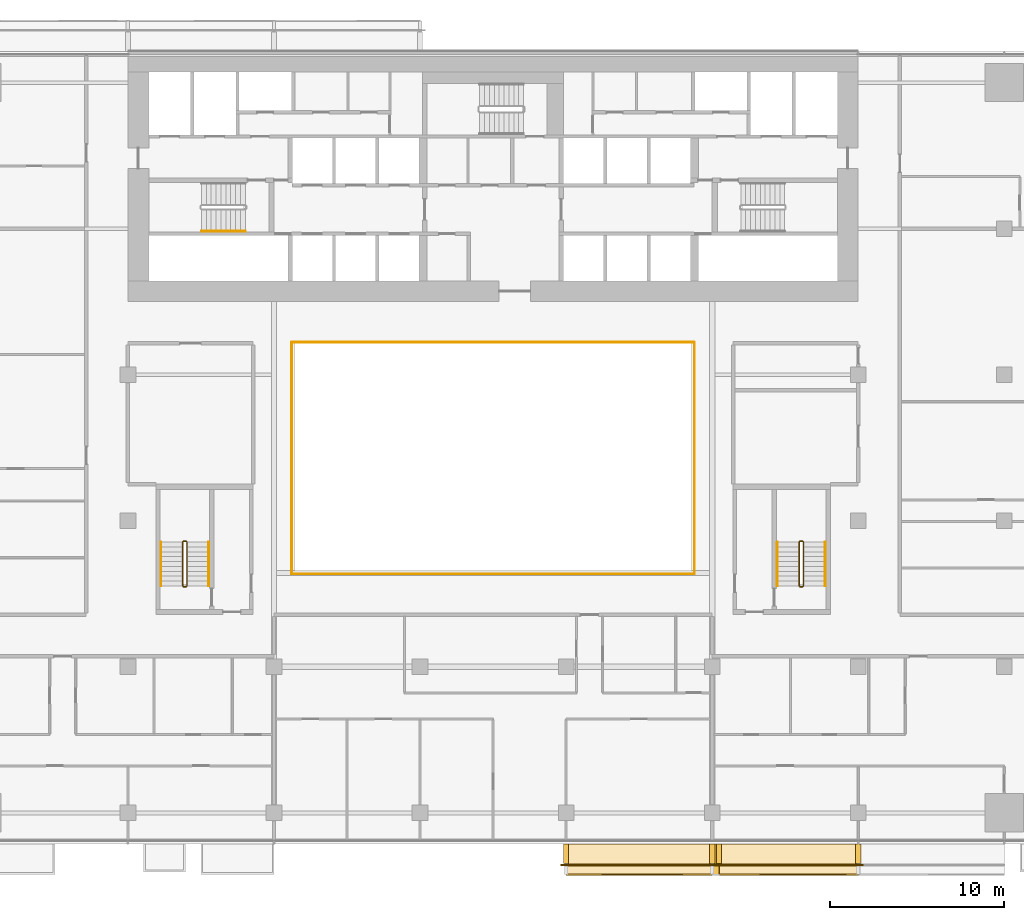
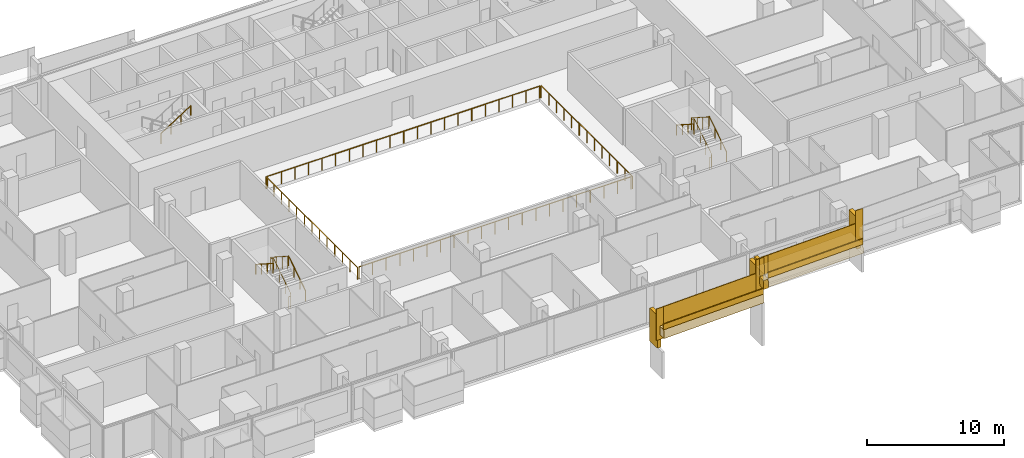
# One storey, part 25 of 27: 18 railings, 9 coverings.
"""IFC4 building model written with IfcOpenShell, lengths in metres."""

from ifc_helpers import new_model, si_unit, direction, frame, origin, origin_2d, place, context, subcontext, project, spatial, polyline, rectangle, circle, outline, extrude, material, layer, layer_set, type_object, element, save


model = new_model("IFC4")

# Units and contexts
model_context = context("Model", 3, precision=1e-05, world=origin(), true_north=direction((0.0, 1.0)))
body_context = subcontext(model_context, "Body", "Model", "MODEL_VIEW")
ifc_project = project(units=[si_unit("LENGTHUNIT", "METRE"), si_unit("AREAUNIT", "SQUARE_METRE"), si_unit("VOLUMEUNIT", "CUBIC_METRE"), si_unit("PLANEANGLEUNIT", "RADIAN"), si_unit("MASSUNIT", "GRAM", prefix="KILO")], contexts=[model_context])

# Site, building, storey
site_placement = place(None, origin())
site = spatial("IfcSite", under=ifc_project, at=site_placement, CompositionType="ELEMENT")
building_placement = place(site_placement, origin())
building = spatial("IfcBuilding", under=site, at=building_placement, Name="Saffron Gate Tower", CompositionType="ELEMENT")
storey_placement = place(building_placement, frame((0.0, 0.0, 44.39990234375)))
storey = spatial("IfcBuildingStorey", under=building, at=storey_placement, Name="L09", CompositionType="ELEMENT", Elevation=44.39990234375)

# Railings
ifc_material_1 = material(Name="Stainless steel and laminated glass", Category="steel")
railing_type_1 = type_object("IfcRailingType", Name="AG1 Atrium edge guard 1100", PredefinedType="GUARDRAIL", material=ifc_material_1)
railing_1_placement = place(storey_placement, frame((76.02001953125, 45.5400390625, 0.0)))
element("IfcRailing", 1, at=railing_1_placement, inside=storey, type_object=railing_type_1, Name="Guard A1-1", PredefinedType="GUARDRAIL", context=body_context, shape_type="SweptSolid", body=[
    extrude(circle(Radius=0.02392578125, at=origin_2d()), frame((0.0, 0.0, 1.076171875), z_axis=(0.0, 1.0, 0.0), x_axis=(-1.0, 0.0, 0.0)), (0.0, 0.0, 1.0), 13.320068359375),
    extrude(circle(Radius=0.02099609375, at=origin_2d()), origin(), (0.0, 0.0, 1.0), 1.052001953125),
    extrude(circle(Radius=0.02099609375, at=origin_2d()), frame((0.0, 1.110107421875, 0.0)), (0.0, 0.0, 1.0), 1.052001953125),
    extrude(circle(Radius=0.02099609375, at=origin_2d()), frame((0.0, 2.219970703125, 0.0)), (0.0, 0.0, 1.0), 1.052001953125),
    extrude(circle(Radius=0.02099609375, at=origin_2d()), frame((0.0, 3.330078125, 0.0)), (0.0, 0.0, 1.0), 1.052001953125),
    extrude(circle(Radius=0.02099609375, at=origin_2d()), frame((0.0, 4.43994140625, 0.0)), (0.0, 0.0, 1.0), 1.052001953125),
    extrude(circle(Radius=0.02099609375, at=origin_2d()), frame((0.0, 5.550048828125, 0.0)), (0.0, 0.0, 1.0), 1.052001953125),
    extrude(circle(Radius=0.02099609375, at=origin_2d()), frame((0.0, 6.66015625, 0.0)), (0.0, 0.0, 1.0), 1.052001953125),
    extrude(circle(Radius=0.02099609375, at=origin_2d()), frame((0.0, 7.77001953125, 0.0)), (0.0, 0.0, 1.0), 1.052001953125),
    extrude(circle(Radius=0.02099609375, at=origin_2d()), frame((0.0, 8.880126953125, 0.0)), (0.0, 0.0, 1.0), 1.052001953125),
    extrude(circle(Radius=0.02099609375, at=origin_2d()), frame((0.0, 9.989990234375, 0.0)), (0.0, 0.0, 1.0), 1.052001953125),
    extrude(circle(Radius=0.02099609375, at=origin_2d()), frame((0.0, 11.10009765625, 0.0)), (0.0, 0.0, 1.0), 1.052001953125),
    extrude(circle(Radius=0.02099609375, at=origin_2d()), frame((0.0, 12.2099609375, 0.0)), (0.0, 0.0, 1.0), 1.052001953125),
    extrude(circle(Radius=0.02099609375, at=origin_2d()), frame((0.0, 13.320068359375, 0.0)), (0.0, 0.0, 1.0), 1.052001953125),
])
railing_2_placement = place(storey_placement, frame((76.139892578125, 58.860107421875, 0.0)))
element("IfcRailing", 2, at=railing_2_placement, inside=storey, type_object=railing_type_1, Name="Guard A1-2", PredefinedType="GUARDRAIL", context=body_context, shape_type="SweptSolid", body=[
    extrude(circle(Radius=0.02392578125, at=origin_2d()), frame((0.0, 0.0, 1.076171875), z_axis=(1.0, 0.0, 0.0), x_axis=(0.0, 1.0, 0.0)), (0.0, 0.0, 1.0), 22.920166015625),
    extrude(circle(Radius=0.02099609375, at=origin_2d()), origin(), (0.0, 0.0, 1.0), 1.052001953125),
    extrude(circle(Radius=0.02099609375, at=origin_2d()), frame((1.14599609375, 0.0, 0.0)), (0.0, 0.0, 1.0), 1.052001953125),
    extrude(circle(Radius=0.02099609375, at=origin_2d()), frame((2.2919921875, 0.0, 0.0)), (0.0, 0.0, 1.0), 1.052001953125),
    extrude(circle(Radius=0.02099609375, at=origin_2d()), frame((3.43798828125, 0.0, 0.0)), (0.0, 0.0, 1.0), 1.052001953125),
    extrude(circle(Radius=0.02099609375, at=origin_2d()), frame((4.583984375, 0.0, 0.0)), (0.0, 0.0, 1.0), 1.052001953125),
    extrude(circle(Radius=0.02099609375, at=origin_2d()), frame((5.72998046875, 0.0, 0.0)), (0.0, 0.0, 1.0), 1.052001953125),
    extrude(circle(Radius=0.02099609375, at=origin_2d()), frame((6.8759765625, 0.0, 0.0)), (0.0, 0.0, 1.0), 1.052001953125),
    extrude(circle(Radius=0.02099609375, at=origin_2d()), frame((8.02197265625, 0.0, 0.0)), (0.0, 0.0, 1.0), 1.052001953125),
    extrude(circle(Radius=0.02099609375, at=origin_2d()), frame((9.16796875, 0.0, 0.0)), (0.0, 0.0, 1.0), 1.052001953125),
    extrude(circle(Radius=0.02099609375, at=origin_2d()), frame((10.31396484375, 0.0, 0.0)), (0.0, 0.0, 1.0), 1.052001953125),
    extrude(circle(Radius=0.02099609375, at=origin_2d()), frame((11.4599609375, 0.0, 0.0)), (0.0, 0.0, 1.0), 1.052001953125),
    extrude(circle(Radius=0.02099609375, at=origin_2d()), frame((12.606201171875, 0.0, 0.0)), (0.0, 0.0, 1.0), 1.052001953125),
    extrude(circle(Radius=0.02099609375, at=origin_2d()), frame((13.752197265625, 0.0, 0.0)), (0.0, 0.0, 1.0), 1.052001953125),
    extrude(circle(Radius=0.02099609375, at=origin_2d()), frame((14.898193359375, 0.0, 0.0)), (0.0, 0.0, 1.0), 1.052001953125),
    extrude(circle(Radius=0.02099609375, at=origin_2d()), frame((16.044189453125, 0.0, 0.0)), (0.0, 0.0, 1.0), 1.052001953125),
    extrude(circle(Radius=0.02099609375, at=origin_2d()), frame((17.190185546875, 0.0, 0.0)), (0.0, 0.0, 1.0), 1.052001953125),
    extrude(circle(Radius=0.02099609375, at=origin_2d()), frame((18.336181640625, 0.0, 0.0)), (0.0, 0.0, 1.0), 1.052001953125),
    extrude(circle(Radius=0.02099609375, at=origin_2d()), frame((19.482177734375, 0.0, 0.0)), (0.0, 0.0, 1.0), 1.052001953125),
    extrude(circle(Radius=0.02099609375, at=origin_2d()), frame((20.628173828125, 0.0, 0.0)), (0.0, 0.0, 1.0), 1.052001953125),
    extrude(circle(Radius=0.02099609375, at=origin_2d()), frame((21.774169921875, 0.0, 0.0)), (0.0, 0.0, 1.0), 1.052001953125),
    extrude(circle(Radius=0.02099609375, at=origin_2d()), frame((22.920166015625, 0.0, 0.0)), (0.0, 0.0, 1.0), 1.052001953125),
])
railing_3_placement = place(storey_placement, frame((99.179931640625, 58.860107421875, 0.0)))
element("IfcRailing", 3, at=railing_3_placement, inside=storey, type_object=railing_type_1, Name="Guard A1-3", PredefinedType="GUARDRAIL", context=body_context, shape_type="SweptSolid", body=[
    extrude(circle(Radius=0.02392578125, at=origin_2d()), frame((0.0, 0.0, 1.076171875), z_axis=(0.0, -1.0, 0.0), x_axis=(1.0, 0.0, 0.0)), (0.0, 0.0, 1.0), 13.320068359375),
    extrude(circle(Radius=0.02099609375, at=origin_2d()), origin(), (0.0, 0.0, 1.0), 1.052001953125),
    extrude(circle(Radius=0.02099609375, at=origin_2d()), frame((0.0, -1.110107421875, 0.0)), (0.0, 0.0, 1.0), 1.052001953125),
    extrude(circle(Radius=0.02099609375, at=origin_2d()), frame((0.0, -2.219970703125, 0.0)), (0.0, 0.0, 1.0), 1.052001953125),
    extrude(circle(Radius=0.02099609375, at=origin_2d()), frame((0.0, -3.330078125, 0.0)), (0.0, 0.0, 1.0), 1.052001953125),
    extrude(circle(Radius=0.02099609375, at=origin_2d()), frame((0.0, -4.43994140625, 0.0)), (0.0, 0.0, 1.0), 1.052001953125),
    extrude(circle(Radius=0.02099609375, at=origin_2d()), frame((0.0, -5.550048828125, 0.0)), (0.0, 0.0, 1.0), 1.052001953125),
    extrude(circle(Radius=0.02099609375, at=origin_2d()), frame((0.0, -6.66015625, 0.0)), (0.0, 0.0, 1.0), 1.052001953125),
    extrude(circle(Radius=0.02099609375, at=origin_2d()), frame((0.0, -7.77001953125, 0.0)), (0.0, 0.0, 1.0), 1.052001953125),
    extrude(circle(Radius=0.02099609375, at=origin_2d()), frame((0.0, -8.880126953125, 0.0)), (0.0, 0.0, 1.0), 1.052001953125),
    extrude(circle(Radius=0.02099609375, at=origin_2d()), frame((0.0, -9.989990234375, 0.0)), (0.0, 0.0, 1.0), 1.052001953125),
    extrude(circle(Radius=0.02099609375, at=origin_2d()), frame((0.0, -11.10009765625, 0.0)), (0.0, 0.0, 1.0), 1.052001953125),
    extrude(circle(Radius=0.02099609375, at=origin_2d()), frame((0.0, -12.2099609375, 0.0)), (0.0, 0.0, 1.0), 1.052001953125),
    extrude(circle(Radius=0.02099609375, at=origin_2d()), frame((0.0, -13.320068359375, 0.0)), (0.0, 0.0, 1.0), 1.052001953125),
])
railing_4_placement = place(storey_placement, frame((99.06005859375, 45.5400390625, 0.0)))
element("IfcRailing", 4, at=railing_4_placement, inside=storey, type_object=railing_type_1, Name="Guard A1-4", PredefinedType="GUARDRAIL", context=body_context, shape_type="SweptSolid", body=[
    extrude(circle(Radius=0.02392578125, at=origin_2d()), frame((0.0, 0.0, 1.076171875), z_axis=(-1.0, 0.0, 0.0), x_axis=(0.0, -1.0, 0.0)), (0.0, 0.0, 1.0), 22.920166015625),
    extrude(circle(Radius=0.02099609375, at=origin_2d()), origin(), (0.0, 0.0, 1.0), 1.052001953125),
    extrude(circle(Radius=0.02099609375, at=origin_2d()), frame((-1.14599609375, 0.0, 0.0)), (0.0, 0.0, 1.0), 1.052001953125),
    extrude(circle(Radius=0.02099609375, at=origin_2d()), frame((-2.2919921875, 0.0, 0.0)), (0.0, 0.0, 1.0), 1.052001953125),
    extrude(circle(Radius=0.02099609375, at=origin_2d()), frame((-3.43798828125, 0.0, 0.0)), (0.0, 0.0, 1.0), 1.052001953125),
    extrude(circle(Radius=0.02099609375, at=origin_2d()), frame((-4.583984375, 0.0, 0.0)), (0.0, 0.0, 1.0), 1.052001953125),
    extrude(circle(Radius=0.02099609375, at=origin_2d()), frame((-5.72998046875, 0.0, 0.0)), (0.0, 0.0, 1.0), 1.052001953125),
    extrude(circle(Radius=0.02099609375, at=origin_2d()), frame((-6.8759765625, 0.0, 0.0)), (0.0, 0.0, 1.0), 1.052001953125),
    extrude(circle(Radius=0.02099609375, at=origin_2d()), frame((-8.02197265625, 0.0, 0.0)), (0.0, 0.0, 1.0), 1.052001953125),
    extrude(circle(Radius=0.02099609375, at=origin_2d()), frame((-9.16796875, 0.0, 0.0)), (0.0, 0.0, 1.0), 1.052001953125),
    extrude(circle(Radius=0.02099609375, at=origin_2d()), frame((-10.31396484375, 0.0, 0.0)), (0.0, 0.0, 1.0), 1.052001953125),
    extrude(circle(Radius=0.02099609375, at=origin_2d()), frame((-11.4599609375, 0.0, 0.0)), (0.0, 0.0, 1.0), 1.052001953125),
    extrude(circle(Radius=0.02099609375, at=origin_2d()), frame((-12.606201171875, 0.0, 0.0)), (0.0, 0.0, 1.0), 1.052001953125),
    extrude(circle(Radius=0.02099609375, at=origin_2d()), frame((-13.752197265625, 0.0, 0.0)), (0.0, 0.0, 1.0), 1.052001953125),
    extrude(circle(Radius=0.02099609375, at=origin_2d()), frame((-14.898193359375, 0.0, 0.0)), (0.0, 0.0, 1.0), 1.052001953125),
    extrude(circle(Radius=0.02099609375, at=origin_2d()), frame((-16.044189453125, 0.0, 0.0)), (0.0, 0.0, 1.0), 1.052001953125),
    extrude(circle(Radius=0.02099609375, at=origin_2d()), frame((-17.190185546875, 0.0, 0.0)), (0.0, 0.0, 1.0), 1.052001953125),
    extrude(circle(Radius=0.02099609375, at=origin_2d()), frame((-18.336181640625, 0.0, 0.0)), (0.0, 0.0, 1.0), 1.052001953125),
    extrude(circle(Radius=0.02099609375, at=origin_2d()), frame((-19.482177734375, 0.0, 0.0)), (0.0, 0.0, 1.0), 1.052001953125),
    extrude(circle(Radius=0.02099609375, at=origin_2d()), frame((-20.628173828125, 0.0, 0.0)), (0.0, 0.0, 1.0), 1.052001953125),
    extrude(circle(Radius=0.02099609375, at=origin_2d()), frame((-21.774169921875, 0.0, 0.0)), (0.0, 0.0, 1.0), 1.052001953125),
    extrude(circle(Radius=0.02099609375, at=origin_2d()), frame((-22.920166015625, 0.0, 0.0)), (0.0, 0.0, 1.0), 1.052001953125),
])
railing_type_2 = type_object("IfcRailingType", Name="CR1 Stair guard 1100", PredefinedType="GUARDRAIL", material=ifc_material_1)
railing_5_placement = place(storey_placement, frame((69.800048828125, 44.800048828125, 0.0)))
element("IfcRailing", 5, at=railing_5_placement, inside=storey, type_object=railing_type_2, Name="L09 ST-D stair guard 1", PredefinedType="GUARDRAIL", context=body_context, shape_type="SweptSolid", body=[
    extrude(circle(Radius=0.02392578125, at=origin_2d()), frame((0.0, 0.0, 1.076171875), z_axis=(1.0, 0.0, 0.0), x_axis=(0.0, 1.0, 0.0)), (0.0, 0.0, 1.0), 0.14990234375),
    extrude(circle(Radius=0.02392578125, at=origin_2d()), frame((0.14990234375, 0.0, 1.076171875), z_axis=(0.258543844998, 0.258543844998, 0.930757841991), x_axis=(-0.707106781187, 0.707106781187, 0.0)), (0.0, 0.0, 1.0), 0.193603515625),
    extrude(circle(Radius=0.02392578125, at=origin_2d()), frame((0.199951171875, 0.050048828125, 1.25634765625), z_axis=(0.0, 0.841199657755, 0.540724639528), x_axis=(-1.0, 0.0, 0.0)), (0.0, 0.0, 1.0), 2.995849609375),
    extrude(circle(Radius=0.02392578125, at=origin_2d()), frame((0.199951171875, 2.570068359375, 2.8759765625), z_axis=(-0.708833529934, 0.705375805398, 0.0), x_axis=(-0.705375805398, -0.708833529934, 0.0)), (0.0, 0.0, 1.0), 0.070556640625),
    extrude(circle(Radius=0.02392578125, at=origin_2d()), frame((0.14990234375, 2.619873046875, 2.8759765625), z_axis=(-1.0, 0.0, 0.0), x_axis=(0.0, -1.0, 0.0)), (0.0, 0.0, 1.0), 0.14990234375),
    extrude(circle(Radius=0.02392578125, at=origin_2d()), frame((0.0, 2.619873046875, 2.8759765625), z_axis=(-0.258932105505, -0.257669022063, 0.930892496375), x_axis=(0.705375805398, -0.708833529934, 0.0)), (0.0, 0.0, 1.0), 0.193359375),
    extrude(circle(Radius=0.02392578125, at=origin_2d()), frame((-0.050048828125, 2.570068359375, 3.05615234375), z_axis=(0.0, -0.841162588446, 0.540782303519), x_axis=(1.0, 0.0, 0.0)), (0.0, 0.0, 1.0), 2.995849609375),
    extrude(circle(Radius=0.02099609375, at=origin_2d()), origin(), (0.0, 0.0, 1.0), 1.052001953125),
    extrude(circle(Radius=0.02099609375, at=origin_2d()), frame((0.14990234375, 0.0, 0.0)), (0.0, 0.0, 1.0), 1.052001953125),
    extrude(circle(Radius=0.02099609375, at=origin_2d()), frame((0.199951171875, 0.050048828125, 0.18017578125)), (0.0, 0.0, 1.0), 1.052001953125),
    extrude(circle(Radius=0.02099609375, at=origin_2d()), frame((0.199951171875, 0.89013671875, 0.72021484375)), (0.0, 0.0, 1.0), 1.052001953125),
    extrude(circle(Radius=0.02099609375, at=origin_2d()), frame((0.199951171875, 1.72998046875, 1.260009765625)), (0.0, 0.0, 1.0), 1.052001953125),
    extrude(circle(Radius=0.02099609375, at=origin_2d()), frame((0.199951171875, 2.570068359375, 1.800048828125)), (0.0, 0.0, 1.0), 1.052001953125),
    extrude(circle(Radius=0.02099609375, at=origin_2d()), frame((0.14990234375, 2.619873046875, 1.800048828125)), (0.0, 0.0, 1.0), 1.052001953125),
    extrude(circle(Radius=0.02099609375, at=origin_2d()), frame((0.0, 2.619873046875, 1.800048828125)), (0.0, 0.0, 1.0), 1.052001953125),
    extrude(circle(Radius=0.02099609375, at=origin_2d()), frame((-0.050048828125, 2.570068359375, 1.97998046875)), (0.0, 0.0, 1.0), 1.052001953125),
    extrude(circle(Radius=0.02099609375, at=origin_2d()), frame((-0.050048828125, 1.72998046875, 2.52001953125)), (0.0, 0.0, 1.0), 1.052001953125),
    extrude(circle(Radius=0.02099609375, at=origin_2d()), frame((-0.050048828125, 0.89013671875, 3.06005859375)), (0.0, 0.0, 1.0), 1.052001953125),
    extrude(circle(Radius=0.02099609375, at=origin_2d()), frame((-0.050048828125, 0.050048828125, 3.60009765625)), (0.0, 0.0, 1.0), 1.052001953125),
])
railing_6_placement = place(storey_placement, frame((105.25, 44.800048828125, 0.0)))
element("IfcRailing", 6, at=railing_6_placement, inside=storey, type_object=railing_type_2, Name="L09 ST-E stair guard 1", PredefinedType="GUARDRAIL", context=body_context, shape_type="SweptSolid", body=[
    extrude(circle(Radius=0.02392578125, at=origin_2d()), frame((0.0, 0.0, 1.076171875), z_axis=(1.0, 0.0, 0.0), x_axis=(0.0, 1.0, 0.0)), (0.0, 0.0, 1.0), 0.14990234375),
    extrude(circle(Radius=0.02392578125, at=origin_2d()), frame((0.14990234375, 0.0, 1.076171875), z_axis=(0.258543844998, 0.258543844998, 0.930757841991), x_axis=(-0.707106781187, 0.707106781187, 0.0)), (0.0, 0.0, 1.0), 0.193603515625),
    extrude(circle(Radius=0.02392578125, at=origin_2d()), frame((0.199951171875, 0.050048828125, 1.25634765625), z_axis=(0.0, 0.841199657755, 0.540724639528), x_axis=(-1.0, 0.0, 0.0)), (0.0, 0.0, 1.0), 2.995849609375),
    extrude(circle(Radius=0.02392578125, at=origin_2d()), frame((0.199951171875, 2.570068359375, 2.8759765625), z_axis=(-0.708833529934, 0.705375805398, 0.0), x_axis=(-0.705375805398, -0.708833529934, 0.0)), (0.0, 0.0, 1.0), 0.070556640625),
    extrude(circle(Radius=0.02392578125, at=origin_2d()), frame((0.14990234375, 2.619873046875, 2.8759765625), z_axis=(-1.0, 0.0, 0.0), x_axis=(0.0, -1.0, 0.0)), (0.0, 0.0, 1.0), 0.14990234375),
    extrude(circle(Radius=0.02392578125, at=origin_2d()), frame((0.0, 2.619873046875, 2.8759765625), z_axis=(-0.258932105505, -0.257669022063, 0.930892496375), x_axis=(0.705375805398, -0.708833529934, 0.0)), (0.0, 0.0, 1.0), 0.193359375),
    extrude(circle(Radius=0.02392578125, at=origin_2d()), frame((-0.050048828125, 2.570068359375, 3.05615234375), z_axis=(0.0, -0.841162588446, 0.540782303519), x_axis=(1.0, 0.0, 0.0)), (0.0, 0.0, 1.0), 2.995849609375),
    extrude(circle(Radius=0.02099609375, at=origin_2d()), origin(), (0.0, 0.0, 1.0), 1.052001953125),
    extrude(circle(Radius=0.02099609375, at=origin_2d()), frame((0.14990234375, 0.0, 0.0)), (0.0, 0.0, 1.0), 1.052001953125),
    extrude(circle(Radius=0.02099609375, at=origin_2d()), frame((0.199951171875, 0.050048828125, 0.18017578125)), (0.0, 0.0, 1.0), 1.052001953125),
    extrude(circle(Radius=0.02099609375, at=origin_2d()), frame((0.199951171875, 0.89013671875, 0.72021484375)), (0.0, 0.0, 1.0), 1.052001953125),
    extrude(circle(Radius=0.02099609375, at=origin_2d()), frame((0.199951171875, 1.72998046875, 1.260009765625)), (0.0, 0.0, 1.0), 1.052001953125),
    extrude(circle(Radius=0.02099609375, at=origin_2d()), frame((0.199951171875, 2.570068359375, 1.800048828125)), (0.0, 0.0, 1.0), 1.052001953125),
    extrude(circle(Radius=0.02099609375, at=origin_2d()), frame((0.14990234375, 2.619873046875, 1.800048828125)), (0.0, 0.0, 1.0), 1.052001953125),
    extrude(circle(Radius=0.02099609375, at=origin_2d()), frame((0.0, 2.619873046875, 1.800048828125)), (0.0, 0.0, 1.0), 1.052001953125),
    extrude(circle(Radius=0.02099609375, at=origin_2d()), frame((-0.050048828125, 2.570068359375, 1.97998046875)), (0.0, 0.0, 1.0), 1.052001953125),
    extrude(circle(Radius=0.02099609375, at=origin_2d()), frame((-0.050048828125, 1.72998046875, 2.52001953125)), (0.0, 0.0, 1.0), 1.052001953125),
    extrude(circle(Radius=0.02099609375, at=origin_2d()), frame((-0.050048828125, 0.89013671875, 3.06005859375)), (0.0, 0.0, 1.0), 1.052001953125),
    extrude(circle(Radius=0.02099609375, at=origin_2d()), frame((-0.050048828125, 0.050048828125, 3.60009765625)), (0.0, 0.0, 1.0), 1.052001953125),
])
ifc_material_2 = material(Name="Stainless steel", Category="steel")
railing_type_3 = type_object("IfcRailingType", Name="CR2 Stair handrail 900", PredefinedType="HANDRAIL", material=ifc_material_2)
railing_7_placement = place(storey_placement, frame((70.830078125, 65.25, 1.97998046875)))
element("IfcRailing", 7, at=railing_7_placement, inside=storey, type_object=railing_type_3, Name="L09 ST-A stair handrail 2", PredefinedType="HANDRAIL", context=body_context, shape_type="SweptSolid", body=[
    extrude(circle(Radius=0.02392578125, at=origin_2d()), frame((0.0, 0.0, 0.8759765625), z_axis=(0.841162588446, 0.0, 0.540782303519), x_axis=(0.0, 1.0, 0.0)), (0.0, 0.0, 1.0), 2.995849609375),
    extrude(circle(Radius=0.02099609375, at=origin_2d()), origin(), (0.0, 0.0, 1.0), 0.851806640625),
    extrude(circle(Radius=0.02099609375, at=origin_2d()), frame((0.840087890625, 0.0, 0.5400390625)), (0.0, 0.0, 1.0), 0.851806640625),
    extrude(circle(Radius=0.02099609375, at=origin_2d()), frame((1.679931640625, 0.0, 1.080078125)), (0.0, 0.0, 1.0), 0.851806640625),
    extrude(circle(Radius=0.02099609375, at=origin_2d()), frame((2.52001953125, 0.0, 1.6201171875)), (0.0, 0.0, 1.0), 0.851806640625),
])
railing_8_placement = place(storey_placement, frame((71.25, 44.85009765625, 0.18017578125)))
element("IfcRailing", 8, at=railing_8_placement, inside=storey, type_object=railing_type_3, Name="L09 ST-D stair handrail 1", PredefinedType="HANDRAIL", context=body_context, shape_type="SweptSolid", body=[
    extrude(circle(Radius=0.02392578125, at=origin_2d()), frame((0.0, 0.0, 0.8759765625), z_axis=(0.0, 0.841199657755, 0.540724639528), x_axis=(-1.0, 0.0, 0.0)), (0.0, 0.0, 1.0), 2.995849609375),
    extrude(circle(Radius=0.02099609375, at=origin_2d()), origin(), (0.0, 0.0, 1.0), 0.851806640625),
    extrude(circle(Radius=0.02099609375, at=origin_2d()), frame((0.0, 0.840087890625, 0.5400390625)), (0.0, 0.0, 1.0), 0.851806640625),
    extrude(circle(Radius=0.02099609375, at=origin_2d()), frame((0.0, 1.679931640625, 1.079833984375)), (0.0, 0.0, 1.0), 0.851806640625),
    extrude(circle(Radius=0.02099609375, at=origin_2d()), frame((0.0, 2.52001953125, 1.619873046875)), (0.0, 0.0, 1.0), 0.851806640625),
])
railing_9_placement = place(storey_placement, frame((68.5, 47.3701171875, 1.97998046875)))
element("IfcRailing", 9, at=railing_9_placement, inside=storey, type_object=railing_type_3, Name="L09 ST-D stair handrail 2", PredefinedType="HANDRAIL", context=body_context, shape_type="SweptSolid", body=[
    extrude(circle(Radius=0.02392578125, at=origin_2d()), frame((0.0, 0.0, 0.8759765625), z_axis=(0.0, -0.841162588446, 0.540782303519), x_axis=(1.0, 0.0, 0.0)), (0.0, 0.0, 1.0), 2.995849609375),
    extrude(circle(Radius=0.02099609375, at=origin_2d()), origin(), (0.0, 0.0, 1.0), 0.851806640625),
    extrude(circle(Radius=0.02099609375, at=origin_2d()), frame((0.0, -0.840087890625, 0.5400390625)), (0.0, 0.0, 1.0), 0.851806640625),
    extrude(circle(Radius=0.02099609375, at=origin_2d()), frame((0.0, -1.679931640625, 1.080078125)), (0.0, 0.0, 1.0), 0.851806640625),
    extrude(circle(Radius=0.02099609375, at=origin_2d()), frame((0.0, -2.52001953125, 1.6201171875)), (0.0, 0.0, 1.0), 0.851806640625),
])
railing_10_placement = place(storey_placement, frame((106.699951171875, 44.85009765625, 0.18017578125)))
element("IfcRailing", 10, at=railing_10_placement, inside=storey, type_object=railing_type_3, Name="L09 ST-E stair handrail 1", PredefinedType="HANDRAIL", context=body_context, shape_type="SweptSolid", body=[
    extrude(circle(Radius=0.02392578125, at=origin_2d()), frame((0.0, 0.0, 0.8759765625), z_axis=(0.0, 0.841199657755, 0.540724639528), x_axis=(-1.0, 0.0, 0.0)), (0.0, 0.0, 1.0), 2.995849609375),
    extrude(circle(Radius=0.02099609375, at=origin_2d()), origin(), (0.0, 0.0, 1.0), 0.851806640625),
    extrude(circle(Radius=0.02099609375, at=origin_2d()), frame((0.0, 0.840087890625, 0.5400390625)), (0.0, 0.0, 1.0), 0.851806640625),
    extrude(circle(Radius=0.02099609375, at=origin_2d()), frame((0.0, 1.679931640625, 1.079833984375)), (0.0, 0.0, 1.0), 0.851806640625),
    extrude(circle(Radius=0.02099609375, at=origin_2d()), frame((0.0, 2.52001953125, 1.619873046875)), (0.0, 0.0, 1.0), 0.851806640625),
])
railing_11_placement = place(storey_placement, frame((103.949951171875, 47.3701171875, 1.97998046875)))
element("IfcRailing", 11, at=railing_11_placement, inside=storey, type_object=railing_type_3, Name="L09 ST-E stair handrail 2", PredefinedType="HANDRAIL", context=body_context, shape_type="SweptSolid", body=[
    extrude(circle(Radius=0.02392578125, at=origin_2d()), frame((0.0, 0.0, 0.8759765625), z_axis=(0.0, -0.841162588446, 0.540782303519), x_axis=(1.0, 0.0, 0.0)), (0.0, 0.0, 1.0), 2.995849609375),
    extrude(circle(Radius=0.02099609375, at=origin_2d()), origin(), (0.0, 0.0, 1.0), 0.851806640625),
    extrude(circle(Radius=0.02099609375, at=origin_2d()), frame((0.0, -0.840087890625, 0.5400390625)), (0.0, 0.0, 1.0), 0.851806640625),
    extrude(circle(Radius=0.02099609375, at=origin_2d()), frame((0.0, -1.679931640625, 1.080078125)), (0.0, 0.0, 1.0), 0.851806640625),
    extrude(circle(Radius=0.02099609375, at=origin_2d()), frame((0.0, -2.52001953125, 1.6201171875)), (0.0, 0.0, 1.0), 0.851806640625),
])

# Coverings
ifc_material_3 = material(Name="Timber, thermally modified ash", Category="wood")
ifc_layer_1 = layer(ifc_material_3, 0.800048828125)
ifc_layer_set_1 = layer_set([ifc_layer_1], Name="LD1 ledge timber")
covering_type_1 = type_object("IfcCoveringType", Name="LD1 ledge timber", PredefinedType="CLADDING", material=ifc_layer_set_1)
covering_1_placement = place(storey_placement, frame((91.800048828125, 30.0, 0.499755859375), z_axis=(-0.028791175352, 0.0, 0.999585448184), x_axis=(0.999585448184, 0.0, 0.028791175352)))
element("IfcCovering", 12, at=covering_1_placement, inside=storey, type_object=covering_type_1, Name="LEDGE", PredefinedType="CLADDING", context=body_context, shape_type="SweptSolid", body=[
    extrude(outline(polyline([(0.0, 0.0), (8.403385982666892, 0.0), (8.403385982666892, -1.800048828125), (0.0, -1.800048828125), (0.0, 0.0)])), origin(), (0.0, 0.0, -1.0), 0.800048828125),
])
covering_2_placement = place(storey_placement, frame((100.199951171875, 30.0, 1.942138671875), z_axis=(-0.028664238881, 0.0, 0.999589096284), x_axis=(0.999589096284, 0.0, 0.028664238881)))
element("IfcCovering", 13, at=covering_2_placement, inside=storey, type_object=covering_type_1, Name="LEDGE", PredefinedType="CLADDING", context=body_context, shape_type="SweptSolid", body=[
    extrude(outline(polyline([(0.0, 0.0), (0.40031097364171886, 0.0), (0.40031097364171886, -1.8000488281250004), (0.0, -1.8000488281250004), (0.0, 0.0)])), origin(), (0.0, 0.0, -1.0), 0.800048828125),
])
covering_3_placement = place(storey_placement, frame((100.60009765625, 30.0, 2.0107421875), z_axis=(-0.028796646555, 0.0, 0.999585290582), x_axis=(0.999585290582, 0.0, 0.028796646555)))
element("IfcCovering", 14, at=covering_3_placement, inside=storey, type_object=covering_type_1, Name="LEDGE", PredefinedType="CLADDING", context=body_context, shape_type="SweptSolid", body=[
    extrude(outline(polyline([(0.0, 0.0), (8.003319051788862, 0.0), (8.003319051788862, -1.800048828125), (0.0, -1.800048828125), (0.0, 0.0)])), origin(), (0.0, 0.0, -1.0), 0.800048828125),
])
ifc_layer_2 = layer(ifc_material_3, 0.080078125)
ifc_layer_set_2 = layer_set([ifc_layer_2], Name="LD2 ledge planter trough")
covering_type_2 = type_object("IfcCoveringType", Name="LD2 ledge planter trough", PredefinedType="CLADDING", material=ifc_layer_set_2)
covering_4_placement = place(storey_placement, frame((91.800048828125, 28.199951171875, 0.499755859375), z_axis=(0.0, -1.0, 0.0), x_axis=(0.999585448184, 0.0, 0.028791175352)))
element("IfcCovering", 15, at=covering_4_placement, inside=storey, type_object=covering_type_2, Name="LEDGE planter trough", PredefinedType="CLADDING", context=body_context, shape_type="SweptSolid", body=[
    extrude(outline(polyline([(0.0, 0.0), (8.403385982666892, 0.0), (8.417781570342743, 0.49979272409216496), (0.014395587675851172, 0.4997927240921649), (0.0, 0.0)])), origin(), (0.0, 0.0, -1.0), 0.080078125),
])
covering_5_placement = place(storey_placement, frame((100.60009765625, 28.199951171875, 2.0107421875), z_axis=(0.0, -1.0, 0.0), x_axis=(0.999585290582, 0.0, 0.028796646555)))
element("IfcCovering", 16, at=covering_5_placement, inside=storey, type_object=covering_type_2, Name="LEDGE planter trough", PredefinedType="CLADDING", context=body_context, shape_type="SweptSolid", body=[
    extrude(outline(polyline([(0.0, 0.0), (8.003319051788862, 0.0), (8.017717375066283, 0.4997926452908234), (0.014398323277421184, 0.49979264529082346), (0.0, 0.0)])), origin(), (0.0, 0.0, -1.0), 0.080078125),
])
ifc_layer_3 = layer(ifc_material_3, 0.300048828125)
ifc_layer_set_3 = layer_set([ifc_layer_3], Name="LD3 ledge riser fin")
covering_type_3 = type_object("IfcCoveringType", Name="LD3 ledge riser fin", PredefinedType="CLADDING", material=ifc_layer_set_3)
for number, where, z_axis, x_axis, name in (
    (17, (91.800048828125, 29.43994140625, -1.500732421875), (0.0, 0.0, 1.0), (1.0, 0.0, 0.0), "LEDGE riser fin"),
    (18, (100.199951171875, 29.43994140625, -0.058349609375), (0.0, 0.0, 1.0), (1.0, 0.0, 0.0), "LEDGE riser fin"),
):
    element("IfcCovering", number, at=place(storey_placement, frame(where, z_axis=z_axis, x_axis=x_axis)), inside=storey, type_object=covering_type_3, Name=name, PredefinedType="CLADDING", context=body_context, shape_type="SweptSolid", body=[
        extrude(rectangle(XDim=0.300048828125, YDim=1.1201171875, at=origin_2d()), origin(), (0.0, 0.0, 1.0), 2.900390625),
    ])
covering_6_placement = place(storey_placement, frame((100.60009765625, 29.43994140625, 1.15380859375), z_axis=(0.0, 0.0, 1.0), x_axis=(1.0, 0.0, 0.0)))
element("IfcCovering", 19, at=covering_6_placement, inside=storey, type_object=covering_type_3, Name="LEDGE riser fin", PredefinedType="CLADDING", context=body_context, shape_type="SweptSolid", body=[
    extrude(rectangle(XDim=0.300048828125, YDim=1.1201171875, at=origin_2d()), origin(), (0.0, 0.0, 1.0), 1.757080078125),
])
covering_7_placement = place(storey_placement, frame((108.60009765625, 29.43994140625, 1.441162109375), z_axis=(0.0, 0.0, 1.0), x_axis=(1.0, 0.0, 0.0)))
element("IfcCovering", 20, at=covering_7_placement, inside=storey, type_object=covering_type_3, Name="LEDGE riser fin", PredefinedType="CLADDING", context=body_context, shape_type="SweptSolid", body=[
    extrude(rectangle(XDim=0.300048828125, YDim=1.1201171875, at=origin_2d()), origin(), (0.0, 0.0, 1.0), 2.84326171875),
])

# Railings
railing_type_4 = type_object("IfcRailingType", Name="LG1 ledge balustrade", PredefinedType="BALUSTRADE", material=ifc_material_3)
railing_12_placement = place(storey_placement, frame((91.800048828125, 28.800048828125, 0.499755859375)))
element("IfcRailing", 21, at=railing_12_placement, inside=storey, type_object=railing_type_4, Name="LEDGE BALUSTRADE", PredefinedType="BALUSTRADE", context=body_context, shape_type="SweptSolid", body=[
    extrude(rectangle(XDim=0.06005859375, YDim=1.60009765625, at=origin_2d()), frame((0.0, 0.0, 0.800048828125), z_axis=(0.999585448184, 0.0, 0.028791175352), x_axis=(0.0, 1.0, 0.0)), (0.0, 0.0, 1.0), 8.4033203125),
])
railing_13_placement = place(storey_placement, frame((91.5, 28.800048828125, -0.70068359375)))
element("IfcRailing", 22, at=railing_13_placement, inside=storey, type_object=railing_type_4, Name="LEDGE BALUSTRADE", PredefinedType="BALUSTRADE", context=body_context, shape_type="SweptSolid", body=[
    extrude(rectangle(XDim=0.06005859375, YDim=2.80029296875, at=origin_2d()), frame((0.0, 0.0, 1.400146484375), z_axis=(1.0, 0.0, 0.0), x_axis=(0.0, 1.0, 0.0)), (0.0, 0.0, 1.0), 0.60009765625),
])
railing_14_placement = place(storey_placement, frame((100.199951171875, 28.800048828125, 1.942138671875)))
element("IfcRailing", 23, at=railing_14_placement, inside=storey, type_object=railing_type_4, Name="LEDGE BALUSTRADE", PredefinedType="BALUSTRADE", context=body_context, shape_type="SweptSolid", body=[
    extrude(rectangle(XDim=0.06005859375, YDim=1.60009765625, at=origin_2d()), frame((0.0, 0.0, 0.800048828125), z_axis=(0.999589096284, 0.0, 0.028664238881), x_axis=(0.0, 1.0, 0.0)), (0.0, 0.0, 1.0), 0.400390625),
])
railing_15_placement = place(storey_placement, frame((99.89990234375, 28.800048828125, 0.74169921875)))
element("IfcRailing", 24, at=railing_15_placement, inside=storey, type_object=railing_type_4, Name="LEDGE BALUSTRADE", PredefinedType="BALUSTRADE", context=body_context, shape_type="SweptSolid", body=[
    extrude(rectangle(XDim=0.06005859375, YDim=2.80029296875, at=origin_2d()), frame((0.0, 0.0, 1.400146484375), z_axis=(1.0, 0.0, 0.0), x_axis=(0.0, 1.0, 0.0)), (0.0, 0.0, 1.0), 0.60009765625),
])
railing_16_placement = place(storey_placement, frame((100.60009765625, 28.800048828125, 2.0107421875)))
element("IfcRailing", 25, at=railing_16_placement, inside=storey, type_object=railing_type_4, Name="LEDGE BALUSTRADE", PredefinedType="BALUSTRADE", context=body_context, shape_type="SweptSolid", body=[
    extrude(rectangle(XDim=0.06005859375, YDim=1.60009765625, at=origin_2d()), frame((0.0, 0.0, 0.800048828125), z_axis=(0.999585290582, 0.0, 0.028796646555), x_axis=(0.0, 1.0, 0.0)), (0.0, 0.0, 1.0), 8.00341796875),
])
railing_17_placement = place(storey_placement, frame((100.300048828125, 28.800048828125, 1.95361328125)))
element("IfcRailing", 26, at=railing_17_placement, inside=storey, type_object=railing_type_4, Name="LEDGE BALUSTRADE", PredefinedType="BALUSTRADE", context=body_context, shape_type="SweptSolid", body=[
    extrude(rectangle(XDim=0.06005859375, YDim=1.6572265625, at=origin_2d()), frame((0.0, 0.0, 0.82861328125), z_axis=(1.0, 0.0, 0.0), x_axis=(0.0, 1.0, 0.0)), (0.0, 0.0, 1.0), 0.599853515625),
])
railing_18_placement = place(storey_placement, frame((108.300048828125, 28.800048828125, 2.2412109375)))
element("IfcRailing", 27, at=railing_18_placement, inside=storey, type_object=railing_type_4, Name="LEDGE BALUSTRADE", PredefinedType="BALUSTRADE", context=body_context, shape_type="SweptSolid", body=[
    extrude(rectangle(XDim=0.06005859375, YDim=2.7431640625, at=origin_2d()), frame((0.0, 0.0, 1.37158203125), z_axis=(1.0, 0.0, 0.0), x_axis=(0.0, 1.0, 0.0)), (0.0, 0.0, 1.0), 0.599853515625),
])

save(model, "model.ifc")
